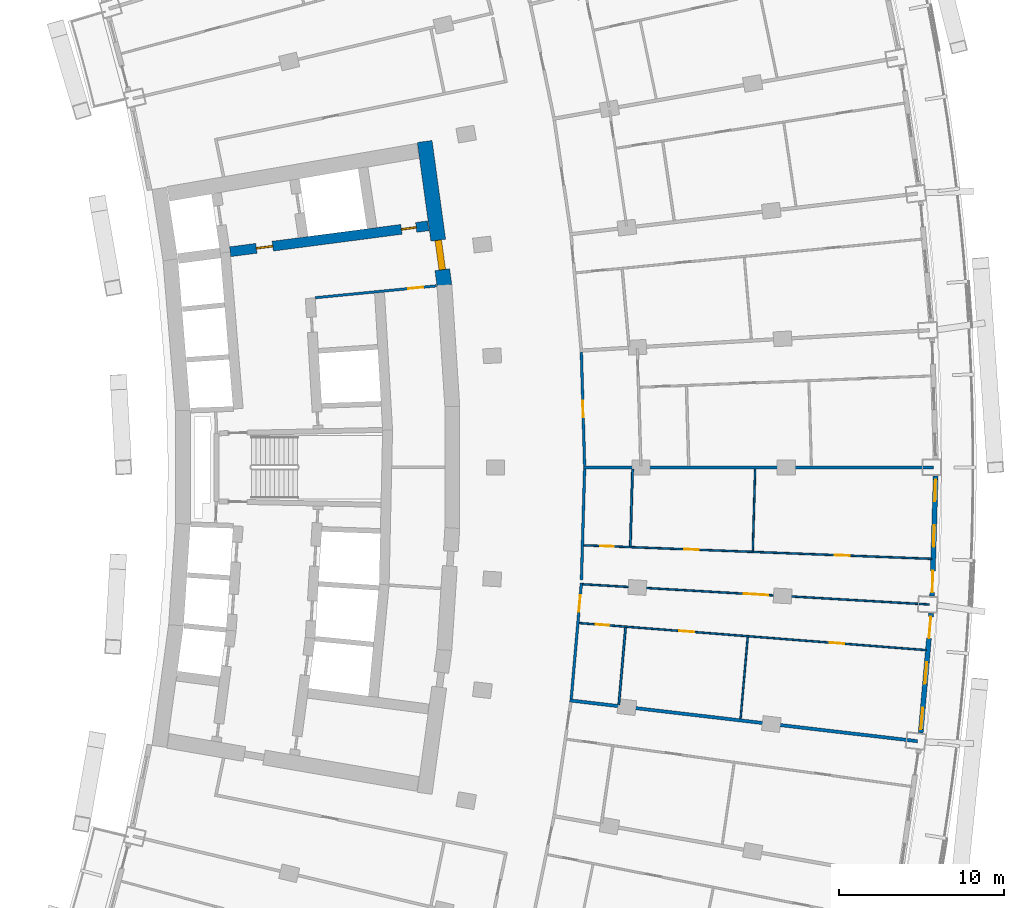
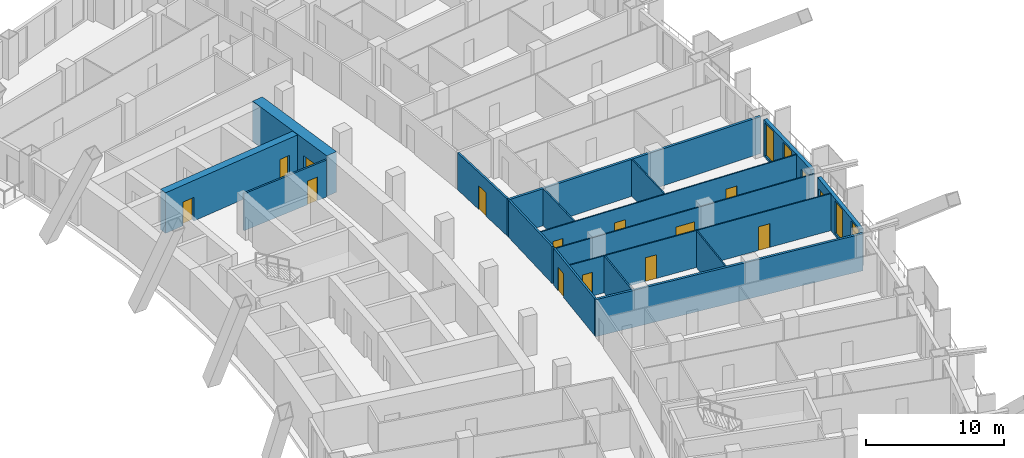
# One storey, part 17 of 25: 17 walls, 15 doors, 4 windows, 19 openings.
"""IFC4 building model written with IfcOpenShell, lengths in metres."""

from ifc_helpers import new_model, si_unit, direction, frame, frame_2d, origin, place, context, subcontext, project, spatial, rectangle, extrude, material, layer, layer_set, type_object, element, fill, save


model = new_model("IFC4")

# Units and contexts
model_context = context("Model", 3, precision=1e-05, world=origin(), true_north=direction((0.0, 1.0)))
body_context = subcontext(model_context, "Body", "Model", "MODEL_VIEW")
ifc_project = project(units=[si_unit("LENGTHUNIT", "METRE"), si_unit("AREAUNIT", "SQUARE_METRE"), si_unit("VOLUMEUNIT", "CUBIC_METRE"), si_unit("PLANEANGLEUNIT", "RADIAN"), si_unit("MASSUNIT", "GRAM", prefix="KILO")], contexts=[model_context])

# Site, building, storey
site_placement = place(None, origin())
site = spatial("IfcSite", under=ifc_project, at=site_placement, CompositionType="ELEMENT")
building_placement = place(site_placement, origin())
building = spatial("IfcBuilding", under=site, at=building_placement, Name="Alderwake Tower", CompositionType="ELEMENT")
storey_placement = place(building_placement, frame((0.0, 0.0, 64.39990234375)))
storey = spatial("IfcBuildingStorey", under=building, at=storey_placement, Name="L15", CompositionType="ELEMENT", Elevation=64.39990234375)

# Wall, opening, door
ifc_material_1 = material(Name="Gypsum shaft wall system, rated")
ifc_layer_1 = layer(ifc_material_1, 0.14990234375)
ifc_layer_set_1 = layer_set([ifc_layer_1], Name="Core room partition 150")
wall_type_1 = type_object("IfcWallType", Name="Core room partition 150", PredefinedType="PARTITIONING", material=ifc_layer_set_1)
wall_1_placement = place(storey_placement, frame((32.233642578125, 71.982177734375, 0.0), z_axis=(0.0, 0.0, 1.0), x_axis=(-0.995245540971, -0.097397706226, 0.0)))
wall_1 = element("IfcWall", 1, at=wall_1_placement, inside=storey, type_object=wall_type_1, Name="CW/L15/PR+102_+86", PredefinedType="PARTITIONING", context=body_context, shape_type="SweptSolid", body=[
    extrude(rectangle(XDim=7.36962890625, YDim=0.14990234375, at=frame_2d((3.684814453125, 0.0))), origin(), (0.0, 0.0, 1.0), 3.280029296875),
])
opening_1_placement = place(wall_1_placement, frame((0.819580078125, 0.0, 0.0)))
opening_1 = element("IfcOpeningElement", 2, at=opening_1_placement, cuts=wall_1, Name="Opening C032", PredefinedType="OPENING", context=body_context, shape_type="SweptSolid", body=[
    extrude(rectangle(XDim=0.89990234375, YDim=2.10009765625, at=frame_2d((0.449951171875, 1.050048828125))), frame((0.0, 0.0849609375, 0.0), z_axis=(0.0, -1.0, 0.0), x_axis=(1.0, 0.0, 0.0)), (0.0, 0.0, 1.0), 0.169921875),
])
ifc_material_2 = material(Name="Painted steel leaf", Category="steel")
door_type_1 = type_object("IfcDoorType", Name="Core room door 900", OperationType="SINGLE_SWING_LEFT", PredefinedType="DOOR", material=ifc_material_2)
door_1_placement = place(opening_1_placement, origin())
door_1 = element("IfcDoor", 3, at=door_1_placement, inside=storey, type_object=door_type_1, Name="Room door", OperationType="SINGLE_SWING_RIGHT", OverallHeight=2.10009765625, OverallWidth=0.89990234375, PredefinedType="DOOR", context=body_context, shape_type="SweptSolid", body=[
    extrude(rectangle(XDim=0.89990234375, YDim=2.10009765625, at=frame_2d((0.449951171875, 1.050048828125))), frame((0.0, 0.02490234375, 0.0), z_axis=(0.0, -1.0, 0.0), x_axis=(1.0, 0.0, 0.0)), (0.0, 0.0, 1.0), 0.050048828125),
])
fill(opening_1, door_1)

ifc_material_3 = material(Name="Concrete C70/85", Category="concrete")
ifc_layer_2 = layer(ifc_material_3, 0.89990234375)
ifc_layer_set_2 = layer_set([ifc_layer_2], Name="Core wall outer 900 C70-85")
wall_type_2 = type_object("IfcWallType", Name="Core wall outer 900 C70-85", PredefinedType="SHEAR", material=ifc_layer_set_2)
wall_2_placement = place(storey_placement, frame((31.520263671875, 80.7177734375, 0.0), z_axis=(0.0, 0.0, 1.0), x_axis=(0.135844728876, -0.990730139663, 0.0)))
wall_2 = element("IfcWall", 4, at=wall_2_placement, inside=storey, type_object=wall_type_2, Name="Core wall CW.009", PredefinedType="SHEAR", context=body_context, shape_type="SweptSolid", body=[
    extrude(rectangle(XDim=8.78662109375, YDim=0.89990234375, at=frame_2d((4.393310546875, 0.0))), origin(), (0.0, 0.0, 1.0), 3.60009765625),
])
opening_2_placement = place(wall_2_placement, frame((6.02978515625, 0.0, 0.0)))
opening_2 = element("IfcOpeningElement", 5, at=opening_2_placement, cuts=wall_2, Name="Opening C001", PredefinedType="OPENING", context=body_context, shape_type="SweptSolid", body=[
    extrude(rectangle(XDim=1.800048828125, YDim=2.10009765625, at=frame_2d((0.89990234375, 1.050048828125))), frame((0.0, 0.4599609375, 0.0), z_axis=(0.0, -1.0, 0.0), x_axis=(1.0, 0.0, 0.0)), (0.0, 0.0, 1.0), 0.919921875),
])
ifc_material_4 = material(Name="Steel-framed fire door leaves", Category="steel")
door_type_2 = type_object("IfcDoorType", Name="Core double door 1800 fire-rated", OperationType="DOUBLE_DOOR_SINGLE_SWING", PredefinedType="DOOR", material=ifc_material_4)
door_2_placement = place(opening_2_placement, origin())
door_2 = element("IfcDoor", 6, at=door_2_placement, inside=storey, type_object=door_type_2, Name="Lobby double door", OperationType="DOUBLE_DOOR_SINGLE_SWING", OverallHeight=2.10009765625, OverallWidth=1.800048828125, PredefinedType="DOOR", context=body_context, shape_type="SweptSolid", body=[
    extrude(rectangle(XDim=1.800048828125, YDim=2.10009765625, at=frame_2d((0.89990234375, 1.050048828125))), frame((0.0, 0.199951171875, 0.0), z_axis=(0.0, -1.0, 0.0), x_axis=(1.0, 0.0, 0.0)), (0.0, 0.0, 1.0), 0.39990234375),
])
fill(opening_2, door_2)

# Wall, openings, doors
ifc_material_5 = material(Name="Concrete C70/85", Category="concrete")
ifc_layer_3 = layer(ifc_material_5, 0.60009765625)
ifc_layer_set_3 = layer_set([ifc_layer_3], Name="Core wall spine 600 C70-85")
wall_type_3 = type_object("IfcWallType", Name="Core wall spine 600 C70-85", PredefinedType="SHEAR", material=ifc_layer_set_3)
wall_3_placement = place(storey_placement, frame((31.735595703125, 75.6142578125, 0.0), z_axis=(0.0, 0.0, 1.0), x_axis=(-0.991553829991, -0.129695806526, 0.0)))
wall_3 = element("IfcWall", 7, at=wall_3_placement, inside=storey, type_object=wall_type_3, Name="Core wall CW.052", PredefinedType="SHEAR", context=body_context, shape_type="SweptSolid", body=[
    extrude(rectangle(XDim=12.0869140625, YDim=0.60009765625, at=frame_2d((6.04345703125, 0.0))), origin(), (0.0, 0.0, 1.0), 3.60009765625),
])
opening_3_placement = place(wall_3_placement, frame((9.4873046875, 0.0, 0.0)))
opening_3 = element("IfcOpeningElement", 8, at=opening_3_placement, cuts=wall_3, Name="Opening C002", PredefinedType="OPENING", context=body_context, shape_type="SweptSolid", body=[
    extrude(rectangle(XDim=1.0, YDim=2.10009765625, at=frame_2d((0.5, 1.050048828125))), frame((0.0, 0.31005859375, 0.0), z_axis=(0.0, -1.0, 0.0), x_axis=(1.0, 0.0, 0.0)), (0.0, 0.0, 1.0), 0.6201171875),
])
opening_4_placement = place(wall_3_placement, frame((0.7373046875, 0.0, 0.0)))
opening_4 = element("IfcOpeningElement", 9, at=opening_4_placement, cuts=wall_3, Name="Opening C020", PredefinedType="OPENING", context=body_context, shape_type="SweptSolid", body=[
    extrude(rectangle(XDim=0.89990234375, YDim=2.10009765625, at=frame_2d((0.449951171875, 1.050048828125))), frame((0.0, 0.31005859375, 0.0), z_axis=(0.0, -1.0, 0.0), x_axis=(1.0, 0.0, 0.0)), (0.0, 0.0, 1.0), 0.6201171875),
])
door_3_placement = place(opening_4_placement, origin())
door_3 = element("IfcDoor", 10, at=door_3_placement, inside=storey, type_object=door_type_1, Name="Room door", OperationType="SINGLE_SWING_LEFT", OverallHeight=2.10009765625, OverallWidth=0.89990234375, PredefinedType="DOOR", context=body_context, shape_type="SweptSolid", body=[
    extrude(rectangle(XDim=0.89990234375, YDim=2.10009765625, at=frame_2d((0.449951171875, 1.050048828125))), frame((0.0, 0.050048828125, 0.0), z_axis=(0.0, -1.0, 0.0), x_axis=(1.0, 0.0, 0.0)), (0.0, 0.0, 1.0), 0.10009765625),
])
fill(opening_4, door_3)
ifc_material_6 = material(Name="Steel-framed fire door leaf", Category="steel")
door_type_3 = type_object("IfcDoorType", Name="Firefighting lobby door 1000 fire-rated", OperationType="SINGLE_SWING_LEFT", PredefinedType="DOOR", material=ifc_material_6)
door_4_placement = place(opening_3_placement, origin())
door_4 = element("IfcDoor", 11, at=door_4_placement, inside=storey, type_object=door_type_3, Name="Firefighting lobby door", OperationType="SINGLE_SWING_RIGHT", OverallHeight=2.10009765625, OverallWidth=1.0, PredefinedType="DOOR", context=body_context, shape_type="SweptSolid", body=[
    extrude(rectangle(XDim=1.0, YDim=2.10009765625, at=frame_2d((0.5, 1.050048828125))), frame((0.0, 0.050048828125, 0.0), z_axis=(0.0, -1.0, 0.0), x_axis=(1.0, 0.0, 0.0)), (0.0, 0.0, 1.0), 0.10009765625),
])
fill(opening_3, door_4)

# Wall, opening, door
ifc_material_7 = material(Name="Gypsum board on metal studs, rated")
ifc_layer_4 = layer(ifc_material_7, 0.159912109375)
ifc_layer_set_4 = layer_set([ifc_layer_4], Name="Corridor wall 160")
wall_type_4 = type_object("IfcWallType", Name="Corridor wall 160", PredefinedType="PARTITIONING", material=ifc_layer_set_4)
wall_4_placement = place(storey_placement, frame((41.001953125, 54.013671875, 0.0), z_axis=(0.0, 0.0, 1.0), x_axis=(-0.087430787456, -0.996170596537, 0.0)))
wall_4 = element("IfcWall", 12, at=wall_4_placement, inside=storey, type_object=wall_type_4, Name="WL/L15/W38", PredefinedType="PARTITIONING", context=body_context, shape_type="SweptSolid", body=[
    extrude(rectangle(XDim=7.048095703125, YDim=0.159912109375, at=frame_2d((3.52392578125, 0.0))), origin(), (0.0, 0.0, 1.0), 3.280029296875),
])
opening_5_placement = place(wall_4_placement, frame((0.75830078125, 0.0, 0.0)))
opening_5 = element("IfcOpeningElement", 13, at=opening_5_placement, cuts=wall_4, Name="Opening R04-U07.2", PredefinedType="OPENING", context=body_context, shape_type="SweptSolid", body=[
    extrude(rectangle(XDim=1.0, YDim=2.10009765625, at=frame_2d((0.5, 1.050048828125))), frame((0.0, 0.08984375, 0.0), z_axis=(0.0, -1.0, 0.0), x_axis=(1.0, 0.0, 0.0)), (0.0, 0.0, 1.0), 0.179931640625),
])
ifc_material_8 = material(Name="Solid timber leaf in steel frame", Category="steel")
door_type_4 = type_object("IfcDoorType", Name="Flat entrance door 1000 fire-rated", OperationType="SINGLE_SWING_LEFT", PredefinedType="DOOR", material=ifc_material_8)
door_5_placement = place(opening_5_placement, origin())
door_5 = element("IfcDoor", 14, at=door_5_placement, inside=storey, type_object=door_type_4, Name="DR/L15/U07.2", OperationType="SINGLE_SWING_LEFT", OverallHeight=2.10009765625, OverallWidth=1.0, PredefinedType="DOOR", context=body_context, shape_type="SweptSolid", body=[
    extrude(rectangle(XDim=1.0, YDim=2.10009765625, at=frame_2d((0.5, 1.050048828125))), frame((0.0, 0.02490234375, 0.0), z_axis=(0.0, -1.0, 0.0), x_axis=(1.0, 0.0, 0.0)), (0.0, 0.0, 1.0), 0.050048828125),
])
fill(opening_5, door_5)

# Wall
wall_5_placement = place(storey_placement, frame((41.002685546875, 54.20068359375, 0.0), z_axis=(0.0, 0.0, 1.0), x_axis=(0.028855161601, 0.999583603131, 0.0)))
element("IfcWall", 15, at=wall_5_placement, inside=storey, type_object=wall_type_4, Name="WL/L15/W40", PredefinedType="PARTITIONING", context=body_context, shape_type="SweptSolid", body=[
    extrude(rectangle(XDim=6.700927734375, YDim=0.159912109375, at=frame_2d((3.3505859375, 0.0))), origin(), (0.0, 0.0, 1.0), 3.280029296875),
])

# Wall, opening, door
wall_6_placement = place(storey_placement, frame((40.997802734375, 67.967041015625, 0.0), z_axis=(0.0, 0.0, 1.0), x_axis=(0.028852935833, -0.99958366738, 0.0)))
wall_6 = element("IfcWall", 16, at=wall_6_placement, inside=storey, type_object=wall_type_4, Name="WL/L15/W42", PredefinedType="PARTITIONING", context=body_context, shape_type="SweptSolid", body=[
    extrude(rectangle(XDim=6.870849609375, YDim=0.159912109375, at=frame_2d((3.435546875, 0.0))), origin(), (0.0, 0.0, 1.0), 3.280029296875),
])
opening_6_placement = place(wall_6_placement, frame((2.935302734375, 0.0, 0.0)))
opening_6 = element("IfcOpeningElement", 17, at=opening_6_placement, cuts=wall_6, Name="Opening R04-U08.2", PredefinedType="OPENING", context=body_context, shape_type="SweptSolid", body=[
    extrude(rectangle(XDim=1.0, YDim=2.10009765625, at=frame_2d((0.5, 1.050048828125))), frame((0.0, 0.08984375, 0.0), z_axis=(0.0, -1.0, 0.0), x_axis=(1.0, 0.0, 0.0)), (0.0, 0.0, 1.0), 0.179931640625),
])
door_6_placement = place(opening_6_placement, origin())
door_6 = element("IfcDoor", 18, at=door_6_placement, inside=storey, type_object=door_type_4, Name="DR/L15/U08.2", OperationType="SINGLE_SWING_LEFT", OverallHeight=2.10009765625, OverallWidth=1.0, PredefinedType="DOOR", context=body_context, shape_type="SweptSolid", body=[
    extrude(rectangle(XDim=1.0, YDim=2.10009765625, at=frame_2d((0.5, 1.050048828125))), frame((0.0, 0.02490234375, 0.0), z_axis=(0.0, -1.0, 0.0), x_axis=(1.0, 0.0, 0.0)), (0.0, 0.0, 1.0), 0.050048828125),
])
fill(opening_6, door_6)

# Wall, openings, door, windows
ifc_material_9 = material(Name="Precast concrete C50/60 spandrel panel", Category="concrete")
ifc_layer_5 = layer(ifc_material_9, 0.300048828125)
ifc_layer_set_5 = layer_set([ifc_layer_5], Name="External wall EW1 Precast concrete C50/60 spandrel")
wall_type_5 = type_object("IfcWallType", Name="External wall EW1 Precast concrete C50/60 spandrel", PredefinedType="SOLIDWALL", material=ifc_layer_set_5)
wall_7_placement = place(storey_placement, frame((61.527587890625, 44.941162109375, 0.0), z_axis=(0.0, 0.0, 1.0), x_axis=(0.087375550333, 0.996175442984, 0.0)))
wall_7 = element("IfcWall", 19, at=wall_7_placement, inside=storey, type_object=wall_type_5, Name="External wall 15", PredefinedType="SOLIDWALL", context=body_context, shape_type="SweptSolid", body=[
    extrude(rectangle(XDim=7.25927734375, YDim=0.300048828125, at=frame_2d((3.629638671875, 0.0))), origin(), (0.0, 0.0, 1.0), 3.280029296875),
])
opening_7_placement = place(wall_7_placement, frame((0.215087890625, 0.0, 0.199951171875)))
opening_7 = element("IfcOpeningElement", 20, at=opening_7_placement, cuts=wall_7, Name="Opening W1", PredefinedType="OPENING", context=body_context, shape_type="SweptSolid", body=[
    extrude(rectangle(XDim=1.300048828125, YDim=2.89990234375, at=frame_2d((0.64990234375, 1.449951171875))), frame((0.0, 0.159912109375, 0.0), z_axis=(0.0, -1.0, 0.0), x_axis=(1.0, 0.0, 0.0)), (0.0, 0.0, 1.0), 0.320068359375),
])
opening_8_placement = place(wall_7_placement, frame((2.9794921875, 0.0, 0.199951171875)))
opening_8 = element("IfcOpeningElement", 21, at=opening_8_placement, cuts=wall_7, Name="Opening W1", PredefinedType="OPENING", context=body_context, shape_type="SweptSolid", body=[
    extrude(rectangle(XDim=1.300048828125, YDim=2.89990234375, at=frame_2d((0.64990234375, 1.449951171875))), frame((0.0, 0.159912109375, 0.0), z_axis=(0.0, -1.0, 0.0), x_axis=(1.0, 0.0, 0.0)), (0.0, 0.0, 1.0), 0.320068359375),
])
opening_9_placement = place(wall_7_placement, frame((5.744140625, 0.0, 0.0)))
opening_9 = element("IfcOpeningElement", 22, at=opening_9_placement, cuts=wall_7, Name="Opening D06", PredefinedType="OPENING", context=body_context, shape_type="SweptSolid", body=[
    extrude(rectangle(XDim=1.300048828125, YDim=2.39990234375, at=frame_2d((0.64990234375, 1.199951171875))), frame((0.0, 0.159912109375, 0.0), z_axis=(0.0, -1.0, 0.0), x_axis=(1.0, 0.0, 0.0)), (0.0, 0.0, 1.0), 0.320068359375),
])
ifc_material_10 = material(Name="Bronze tinted glass in aluminium frame", Category="aluminium")
door_type_5 = type_object("IfcDoorType", Name="Balcony door BD sliding", OperationType="SLIDING_TO_LEFT", PredefinedType="DOOR", material=ifc_material_10)
door_7_placement = place(opening_9_placement, origin())
door_7 = element("IfcDoor", 23, at=door_7_placement, inside=storey, type_object=door_type_5, Name="Door D06", OperationType="SLIDING_TO_LEFT", OverallHeight=2.39990234375, OverallWidth=1.300048828125, PredefinedType="DOOR", context=body_context, shape_type="SweptSolid", body=[
    extrude(rectangle(XDim=1.300048828125, YDim=2.39990234375, at=frame_2d((0.64990234375, 1.199951171875))), frame((0.0, 0.02490234375, 0.0), z_axis=(0.0, -1.0, 0.0), x_axis=(1.0, 0.0, 0.0)), (0.0, 0.0, 1.0), 0.050048828125),
])
fill(opening_9, door_7)
ifc_material_11 = material(Name="Bronze tinted glass in aluminium frame", Category="aluminium")
window_type = type_object("IfcWindowType", Name="Window W1 tall fixed and vent", PartitioningType="DOUBLE_PANEL_VERTICAL", PredefinedType="WINDOW", material=ifc_material_11)
window_1_placement = place(opening_7_placement, origin())
window_1 = element("IfcWindow", 24, at=window_1_placement, inside=storey, type_object=window_type, Name="Window W1 tall fixed and vent", OverallHeight=2.89990234375, OverallWidth=1.300048828125, PartitioningType="DOUBLE_PANEL_VERTICAL", PredefinedType="WINDOW", context=body_context, shape_type="SweptSolid", body=[
    extrude(rectangle(XDim=1.300048828125, YDim=2.89990234375, at=frame_2d((0.64990234375, 1.449951171875))), frame((0.0, 0.030029296875, 0.0), z_axis=(0.0, -1.0, 0.0), x_axis=(1.0, 0.0, 0.0)), (0.0, 0.0, 1.0), 0.06005859375),
])
fill(opening_7, window_1)
window_2_placement = place(opening_8_placement, origin())
window_2 = element("IfcWindow", 25, at=window_2_placement, inside=storey, type_object=window_type, Name="Window W1 tall fixed and vent", OverallHeight=2.89990234375, OverallWidth=1.300048828125, PartitioningType="DOUBLE_PANEL_VERTICAL", PredefinedType="WINDOW", context=body_context, shape_type="SweptSolid", body=[
    extrude(rectangle(XDim=1.300048828125, YDim=2.89990234375, at=frame_2d((0.64990234375, 1.449951171875))), frame((0.0, 0.030029296875, 0.0), z_axis=(0.0, -1.0, 0.0), x_axis=(1.0, 0.0, 0.0)), (0.0, 0.0, 1.0), 0.06005859375),
])
fill(opening_8, window_2)

wall_8_placement = place(storey_placement, frame((62.222900390625, 53.219482421875, 0.0), z_axis=(0.0, 0.0, 1.0), x_axis=(0.029192492368, 0.999573808375, 0.0)))
wall_8 = element("IfcWall", 26, at=wall_8_placement, inside=storey, type_object=wall_type_5, Name="External wall 16", PredefinedType="SOLIDWALL", context=body_context, shape_type="SweptSolid", body=[
    extrude(rectangle(XDim=7.25927734375, YDim=0.300048828125, at=frame_2d((3.629638671875, 0.0))), origin(), (0.0, 0.0, 1.0), 3.280029296875),
])
opening_10_placement = place(wall_8_placement, frame((0.215087890625, 0.0, 0.0)))
opening_10 = element("IfcOpeningElement", 27, at=opening_10_placement, cuts=wall_8, Name="Opening D07", PredefinedType="OPENING", context=body_context, shape_type="SweptSolid", body=[
    extrude(rectangle(XDim=1.300048828125, YDim=2.39990234375, at=frame_2d((0.64990234375, 1.199951171875))), frame((0.0, 0.159912109375, 0.0), z_axis=(0.0, -1.0, 0.0), x_axis=(1.0, 0.0, 0.0)), (0.0, 0.0, 1.0), 0.320068359375),
])
opening_11_placement = place(wall_8_placement, frame((2.9794921875, 0.0, 0.199951171875)))
opening_11 = element("IfcOpeningElement", 28, at=opening_11_placement, cuts=wall_8, Name="Opening W1", PredefinedType="OPENING", context=body_context, shape_type="SweptSolid", body=[
    extrude(rectangle(XDim=1.300048828125, YDim=2.89990234375, at=frame_2d((0.64990234375, 1.449951171875))), frame((0.0, 0.159912109375, 0.0), z_axis=(0.0, -1.0, 0.0), x_axis=(1.0, 0.0, 0.0)), (0.0, 0.0, 1.0), 0.320068359375),
])
opening_12_placement = place(wall_8_placement, frame((5.744140625, 0.0, 0.199951171875)))
opening_12 = element("IfcOpeningElement", 29, at=opening_12_placement, cuts=wall_8, Name="Opening W1", PredefinedType="OPENING", context=body_context, shape_type="SweptSolid", body=[
    extrude(rectangle(XDim=1.300048828125, YDim=2.89990234375, at=frame_2d((0.64990234375, 1.449951171875))), frame((0.0, 0.159912109375, 0.0), z_axis=(0.0, -1.0, 0.0), x_axis=(1.0, 0.0, 0.0)), (0.0, 0.0, 1.0), 0.320068359375),
])
door_8_placement = place(opening_10_placement, origin())
door_8 = element("IfcDoor", 30, at=door_8_placement, inside=storey, type_object=door_type_5, Name="Door D07", OperationType="SLIDING_TO_LEFT", OverallHeight=2.39990234375, OverallWidth=1.300048828125, PredefinedType="DOOR", context=body_context, shape_type="SweptSolid", body=[
    extrude(rectangle(XDim=1.300048828125, YDim=2.39990234375, at=frame_2d((0.64990234375, 1.199951171875))), frame((0.0, 0.02490234375, 0.0), z_axis=(0.0, -1.0, 0.0), x_axis=(1.0, 0.0, 0.0)), (0.0, 0.0, 1.0), 0.050048828125),
])
fill(opening_10, door_8)
window_3_placement = place(opening_11_placement, origin())
window_3 = element("IfcWindow", 31, at=window_3_placement, inside=storey, type_object=window_type, Name="Window W1 tall fixed and vent", OverallHeight=2.89990234375, OverallWidth=1.300048828125, PartitioningType="DOUBLE_PANEL_VERTICAL", PredefinedType="WINDOW", context=body_context, shape_type="SweptSolid", body=[
    extrude(rectangle(XDim=1.300048828125, YDim=2.89990234375, at=frame_2d((0.64990234375, 1.449951171875))), frame((0.0, 0.030029296875, 0.0), z_axis=(0.0, -1.0, 0.0), x_axis=(1.0, 0.0, 0.0)), (0.0, 0.0, 1.0), 0.06005859375),
])
fill(opening_11, window_3)
window_4_placement = place(opening_12_placement, origin())
window_4 = element("IfcWindow", 32, at=window_4_placement, inside=storey, type_object=window_type, Name="Window W1 tall fixed and vent", OverallHeight=2.89990234375, OverallWidth=1.300048828125, PartitioningType="DOUBLE_PANEL_VERTICAL", PredefinedType="WINDOW", context=body_context, shape_type="SweptSolid", body=[
    extrude(rectangle(XDim=1.300048828125, YDim=2.89990234375, at=frame_2d((0.64990234375, 1.449951171875))), frame((0.0, 0.030029296875, 0.0), z_axis=(0.0, -1.0, 0.0), x_axis=(1.0, 0.0, 0.0)), (0.0, 0.0, 1.0), 0.06005859375),
])
fill(opening_12, window_4)

# Walls
ifc_material_12 = material(Name="Dense block masonry wall", Category="masonry")
ifc_layer_6 = layer(ifc_material_12, 0.199951171875)
ifc_layer_set_6 = layer_set([ifc_layer_6], Name="Party wall 200")
wall_type_6 = type_object("IfcWallType", Name="Party wall 200", PredefinedType="SOLIDWALL", material=ifc_layer_set_6)
wall_9_placement = place(storey_placement, frame((61.33203125, 44.43603515625, 0.0), z_axis=(0.0, 0.0, 1.0), x_axis=(-0.993196167424, 0.116453308301, 0.0)))
element("IfcWall", 33, at=wall_9_placement, inside=storey, type_object=wall_type_6, Name="WL/L15/W12", PredefinedType="SOLIDWALL", context=body_context, shape_type="SweptSolid", body=[
    extrude(rectangle(XDim=21.178466796875, YDim=0.199951171875, at=frame_2d((10.58935546875, 0.0))), origin(), (0.0, 0.0, 1.0), 3.280029296875),
])
wall_10_placement = place(storey_placement, frame((62.301025390625, 60.9990234375, 0.0), z_axis=(0.0, 0.0, 1.0), x_axis=(-1.0, 0.0, 0.0)))
element("IfcWall", 34, at=wall_10_placement, inside=storey, type_object=wall_type_6, Name="WL/L15/W14", PredefinedType="SOLIDWALL", context=body_context, shape_type="SweptSolid", body=[
    extrude(rectangle(XDim=21.18212890625, YDim=0.199951171875, at=frame_2d((10.591064453125, 0.0))), origin(), (0.0, 0.0, 1.0), 3.280029296875),
])

# Wall, openings, doors
ifc_material_13 = material(Name="Gypsum board on metal studs")
ifc_layer_7 = layer(ifc_material_13, 0.10009765625)
ifc_layer_set_7 = layer_set([ifc_layer_7], Name="Unit partition 100")
wall_type_7 = type_object("IfcWallType", Name="Unit partition 100", PredefinedType="PARTITIONING", material=ifc_layer_set_7)
wall_11_placement = place(storey_placement, frame((61.865966796875, 49.944091796875, 0.0), z_axis=(0.0, 0.0, 1.0), x_axis=(-0.996972371394, 0.077756611796, 0.0)))
wall_11 = element("IfcWall", 35, at=wall_11_placement, inside=storey, type_object=wall_type_7, Name="WL/L15/W73", PredefinedType="PARTITIONING", context=body_context, shape_type="SweptSolid", body=[
    extrude(rectangle(XDim=21.061767578125, YDim=0.10009765625, at=frame_2d((10.53076171875, 0.0))), origin(), (0.0, 0.0, 1.0), 3.280029296875),
])
opening_13_placement = place(wall_11_placement, frame((14.086181640625, 0.0, 0.0)))
opening_13 = element("IfcOpeningElement", 36, at=opening_13_placement, cuts=wall_11, Name="Opening R04-U07.1", PredefinedType="OPENING", context=body_context, shape_type="SweptSolid", body=[
    extrude(rectangle(XDim=0.89990234375, YDim=2.10009765625, at=frame_2d((0.449951171875, 1.050048828125))), frame((0.0, 0.06005859375, 0.0), z_axis=(0.0, -1.0, 0.0), x_axis=(1.0, 0.0, 0.0)), (0.0, 0.0, 1.0), 0.1201171875),
])
opening_14_placement = place(wall_11_placement, frame((19.25244140625, 0.0, 0.0)))
opening_14 = element("IfcOpeningElement", 37, at=opening_14_placement, cuts=wall_11, Name="Opening R04-U07.3", PredefinedType="OPENING", context=body_context, shape_type="SweptSolid", body=[
    extrude(rectangle(XDim=0.800048828125, YDim=2.10009765625, at=frame_2d((0.39990234375, 1.050048828125))), frame((0.0, 0.06005859375, 0.0), z_axis=(0.0, -1.0, 0.0), x_axis=(1.0, 0.0, 0.0)), (0.0, 0.0, 1.0), 0.1201171875),
])
opening_15_placement = place(wall_11_placement, frame((4.964599609375, 0.0, 0.0)))
opening_15 = element("IfcOpeningElement", 38, at=opening_15_placement, cuts=wall_11, Name="Opening R04-U07.4", PredefinedType="OPENING", context=body_context, shape_type="SweptSolid", body=[
    extrude(rectangle(XDim=0.89990234375, YDim=2.10009765625, at=frame_2d((0.449951171875, 1.050048828125))), frame((0.0, 0.06005859375, 0.0), z_axis=(0.0, -1.0, 0.0), x_axis=(1.0, 0.0, 0.0)), (0.0, 0.0, 1.0), 0.1201171875),
])
ifc_material_14 = material(Name="Painted timber leaf", Category="wood")
door_type_6 = type_object("IfcDoorType", Name="Bathroom door 800", OperationType="SINGLE_SWING_LEFT", PredefinedType="DOOR", material=ifc_material_14)
door_9_placement = place(opening_14_placement, origin())
door_9 = element("IfcDoor", 39, at=door_9_placement, inside=storey, type_object=door_type_6, Name="DR/L15/U07.3", OperationType="SINGLE_SWING_LEFT", OverallHeight=2.10009765625, OverallWidth=0.800048828125, PredefinedType="DOOR", context=body_context, shape_type="SweptSolid", body=[
    extrude(rectangle(XDim=0.800048828125, YDim=2.10009765625, at=frame_2d((0.39990234375, 1.050048828125))), frame((0.0, 0.02490234375, 0.0), z_axis=(0.0, -1.0, 0.0), x_axis=(1.0, 0.0, 0.0)), (0.0, 0.0, 1.0), 0.050048828125),
])
fill(opening_14, door_9)
ifc_material_15 = material(Name="Painted timber leaf", Category="wood")
door_type_7 = type_object("IfcDoorType", Name="Room door 900", OperationType="SINGLE_SWING_LEFT", PredefinedType="DOOR", material=ifc_material_15)
door_10_placement = place(opening_13_placement, origin())
door_10 = element("IfcDoor", 40, at=door_10_placement, inside=storey, type_object=door_type_7, Name="DR/L15/U07.1", OperationType="SINGLE_SWING_LEFT", OverallHeight=2.10009765625, OverallWidth=0.89990234375, PredefinedType="DOOR", context=body_context, shape_type="SweptSolid", body=[
    extrude(rectangle(XDim=0.89990234375, YDim=2.10009765625, at=frame_2d((0.449951171875, 1.050048828125))), frame((0.0, 0.02490234375, 0.0), z_axis=(0.0, -1.0, 0.0), x_axis=(1.0, 0.0, 0.0)), (0.0, 0.0, 1.0), 0.050048828125),
])
fill(opening_13, door_10)
door_11_placement = place(opening_15_placement, origin())
door_11 = element("IfcDoor", 41, at=door_11_placement, inside=storey, type_object=door_type_7, Name="DR/L15/U07.4", OperationType="SINGLE_SWING_LEFT", OverallHeight=2.10009765625, OverallWidth=0.89990234375, PredefinedType="DOOR", context=body_context, shape_type="SweptSolid", body=[
    extrude(rectangle(XDim=0.89990234375, YDim=2.10009765625, at=frame_2d((0.449951171875, 1.050048828125))), frame((0.0, 0.02490234375, 0.0), z_axis=(0.0, -1.0, 0.0), x_axis=(1.0, 0.0, 0.0)), (0.0, 0.0, 1.0), 0.050048828125),
])
fill(opening_15, door_11)

wall_12_placement = place(storey_placement, frame((41.143798828125, 56.285888671875, 0.0), z_axis=(0.0, 0.0, 1.0), x_axis=(0.999243970952, -0.038877840944, 0.0)))
wall_12 = element("IfcWall", 42, at=wall_12_placement, inside=storey, type_object=wall_type_7, Name="WL/L15/W74", PredefinedType="PARTITIONING", context=body_context, shape_type="SweptSolid", body=[
    extrude(rectangle(XDim=21.06201171875, YDim=0.10009765625, at=frame_2d((10.531005859375, 0.0))), origin(), (0.0, 0.0, 1.0), 3.280029296875),
])
opening_16_placement = place(wall_12_placement, frame((6.074462890625, 0.0, 0.0)))
opening_16 = element("IfcOpeningElement", 43, at=opening_16_placement, cuts=wall_12, Name="Opening R04-U07.5", PredefinedType="OPENING", context=body_context, shape_type="SweptSolid", body=[
    extrude(rectangle(XDim=0.89990234375, YDim=2.10009765625, at=frame_2d((0.449951171875, 1.050048828125))), frame((0.0, 0.06005859375, 0.0), z_axis=(0.0, -1.0, 0.0), x_axis=(1.0, 0.0, 0.0)), (0.0, 0.0, 1.0), 0.1201171875),
])
opening_17_placement = place(wall_12_placement, frame((1.0087890625, 0.0, 0.0)))
opening_17 = element("IfcOpeningElement", 44, at=opening_17_placement, cuts=wall_12, Name="Opening R04-U07.6", PredefinedType="OPENING", context=body_context, shape_type="SweptSolid", body=[
    extrude(rectangle(XDim=0.800048828125, YDim=2.10009765625, at=frame_2d((0.39990234375, 1.050048828125))), frame((0.0, 0.06005859375, 0.0), z_axis=(0.0, -1.0, 0.0), x_axis=(1.0, 0.0, 0.0)), (0.0, 0.0, 1.0), 0.1201171875),
])
opening_18_placement = place(wall_12_placement, frame((15.196044921875, 0.0, 0.0)))
opening_18 = element("IfcOpeningElement", 45, at=opening_18_placement, cuts=wall_12, Name="Opening R04-U07.7", PredefinedType="OPENING", context=body_context, shape_type="SweptSolid", body=[
    extrude(rectangle(XDim=0.89990234375, YDim=2.10009765625, at=frame_2d((0.449951171875, 1.050048828125))), frame((0.0, 0.06005859375, 0.0), z_axis=(0.0, -1.0, 0.0), x_axis=(1.0, 0.0, 0.0)), (0.0, 0.0, 1.0), 0.1201171875),
])
door_12_placement = place(opening_17_placement, origin())
door_12 = element("IfcDoor", 46, at=door_12_placement, inside=storey, type_object=door_type_6, Name="DR/L15/U07.6", OperationType="SINGLE_SWING_LEFT", OverallHeight=2.10009765625, OverallWidth=0.800048828125, PredefinedType="DOOR", context=body_context, shape_type="SweptSolid", body=[
    extrude(rectangle(XDim=0.800048828125, YDim=2.10009765625, at=frame_2d((0.39990234375, 1.050048828125))), frame((0.0, 0.02490234375, 0.0), z_axis=(0.0, -1.0, 0.0), x_axis=(1.0, 0.0, 0.0)), (0.0, 0.0, 1.0), 0.050048828125),
])
fill(opening_17, door_12)
door_13_placement = place(opening_16_placement, origin())
door_13 = element("IfcDoor", 47, at=door_13_placement, inside=storey, type_object=door_type_7, Name="DR/L15/U07.5", OperationType="SINGLE_SWING_LEFT", OverallHeight=2.10009765625, OverallWidth=0.89990234375, PredefinedType="DOOR", context=body_context, shape_type="SweptSolid", body=[
    extrude(rectangle(XDim=0.89990234375, YDim=2.10009765625, at=frame_2d((0.449951171875, 1.050048828125))), frame((0.0, 0.02490234375, 0.0), z_axis=(0.0, -1.0, 0.0), x_axis=(1.0, 0.0, 0.0)), (0.0, 0.0, 1.0), 0.050048828125),
])
fill(opening_16, door_13)
door_14_placement = place(opening_18_placement, origin())
door_14 = element("IfcDoor", 48, at=door_14_placement, inside=storey, type_object=door_type_7, Name="DR/L15/U07.7", OperationType="SINGLE_SWING_LEFT", OverallHeight=2.10009765625, OverallWidth=0.89990234375, PredefinedType="DOOR", context=body_context, shape_type="SweptSolid", body=[
    extrude(rectangle(XDim=0.89990234375, YDim=2.10009765625, at=frame_2d((0.449951171875, 1.050048828125))), frame((0.0, 0.02490234375, 0.0), z_axis=(0.0, -1.0, 0.0), x_axis=(1.0, 0.0, 0.0)), (0.0, 0.0, 1.0), 0.050048828125),
])
fill(opening_18, door_14)

# Walls
wall_13_placement = place(storey_placement, frame((50.630615234375, 45.789794921875, 0.0), z_axis=(0.0, 0.0, 1.0), x_axis=(0.087457395214, 0.996168260899, 0.0)))
element("IfcWall", 49, at=wall_13_placement, inside=storey, type_object=wall_type_7, Name="WL/L15/W83", PredefinedType="PARTITIONING", context=body_context, shape_type="SweptSolid", body=[
    extrude(rectangle(XDim=4.96337890625, YDim=0.10009765625, at=frame_2d((2.481689453125, 0.0))), origin(), (0.0, 0.0, 1.0), 3.280029296875),
])
wall_14_placement = place(storey_placement, frame((51.370361328125, 55.93701171875, 0.0), z_axis=(0.0, 0.0, 1.0), x_axis=(0.028771787727, 0.99958600642, 0.0)))
element("IfcWall", 50, at=wall_14_placement, inside=storey, type_object=wall_type_7, Name="WL/L15/W85", PredefinedType="PARTITIONING", context=body_context, shape_type="SweptSolid", body=[
    extrude(rectangle(XDim=4.9638671875, YDim=0.10009765625, at=frame_2d((2.48193359375, 0.0))), origin(), (0.0, 0.0, 1.0), 3.280029296875),
])

# Wall, opening, door
wall_15_placement = place(storey_placement, frame((41.074951171875, 53.92919921875, 0.0), z_axis=(0.0, 0.0, 1.0), x_axis=(0.998299951576, -0.058285561532, 0.0)))
wall_15 = element("IfcWall", 51, at=wall_15_placement, inside=storey, type_object=wall_type_7, Name="WL/L15/W90", PredefinedType="PARTITIONING", context=body_context, shape_type="SweptSolid", body=[
    extrude(rectangle(XDim=21.018798828125, YDim=0.10009765625, at=frame_2d((10.50927734375, 0.0))), origin(), (0.0, 0.0, 1.0), 3.280029296875),
])
opening_19_placement = place(wall_15_placement, frame((9.759521484375, 0.0, 0.0)))
opening_19 = element("IfcOpeningElement", 52, at=opening_19_placement, cuts=wall_15, Name="Opening R04-U07.8", PredefinedType="OPENING", context=body_context, shape_type="SweptSolid", body=[
    extrude(rectangle(XDim=1.5, YDim=2.10009765625, at=frame_2d((0.75, 1.050048828125))), frame((0.0, 0.06005859375, 0.0), z_axis=(0.0, -1.0, 0.0), x_axis=(1.0, 0.0, 0.0)), (0.0, 0.0, 1.0), 0.1201171875),
])
ifc_material_16 = material(Name="Painted timber leaves", Category="wood")
door_type_8 = type_object("IfcDoorType", Name="Double leaf door 1500", OperationType="DOUBLE_DOOR_SINGLE_SWING", PredefinedType="DOOR", material=ifc_material_16)
door_15_placement = place(opening_19_placement, origin())
door_15 = element("IfcDoor", 53, at=door_15_placement, inside=storey, type_object=door_type_8, Name="DR/L15/U07.8", OperationType="DOUBLE_DOOR_SINGLE_SWING", OverallHeight=2.10009765625, OverallWidth=1.5, PredefinedType="DOOR", context=body_context, shape_type="SweptSolid", body=[
    extrude(rectangle(XDim=1.5, YDim=2.10009765625, at=frame_2d((0.75, 1.050048828125))), frame((0.0, 0.02490234375, 0.0), z_axis=(0.0, -1.0, 0.0), x_axis=(1.0, 0.0, 0.0)), (0.0, 0.0, 1.0), 0.050048828125),
])
fill(opening_19, door_15)

# Walls
ifc_material_17 = material(Name="Moisture resistant gypsum board on metal studs")
ifc_layer_8 = layer(ifc_material_17, 0.1201171875)
ifc_layer_set_8 = layer_set([ifc_layer_8], Name="Wet room partition 120")
wall_type_8 = type_object("IfcWallType", Name="Wet room partition 120", PredefinedType="PARTITIONING", material=ifc_layer_set_8)
wall_16_placement = place(storey_placement, frame((43.265625, 46.65380859375, 0.0), z_axis=(0.0, 0.0, 1.0), x_axis=(0.087069112872, 0.996202273428, 0.0)))
element("IfcWall", 54, at=wall_16_placement, inside=storey, type_object=wall_type_8, Name="WL/L15/W58", PredefinedType="PARTITIONING", context=body_context, shape_type="SweptSolid", body=[
    extrude(rectangle(XDim=4.67431640625, YDim=0.1201171875, at=frame_2d((2.337158203125, 0.0))), origin(), (0.0, 0.0, 1.0), 3.280029296875),
])
wall_17_placement = place(storey_placement, frame((43.96044921875, 56.22802734375, 0.0), z_axis=(0.0, 0.0, 1.0), x_axis=(0.029257801765, 0.999571898883, 0.0)))
element("IfcWall", 55, at=wall_17_placement, inside=storey, type_object=wall_type_8, Name="WL/L15/W60", PredefinedType="PARTITIONING", context=body_context, shape_type="SweptSolid", body=[
    extrude(rectangle(XDim=4.6728515625, YDim=0.1201171875, at=frame_2d((2.33642578125, 0.0))), origin(), (0.0, 0.0, 1.0), 3.280029296875),
])

save(model, "model.ifc")
